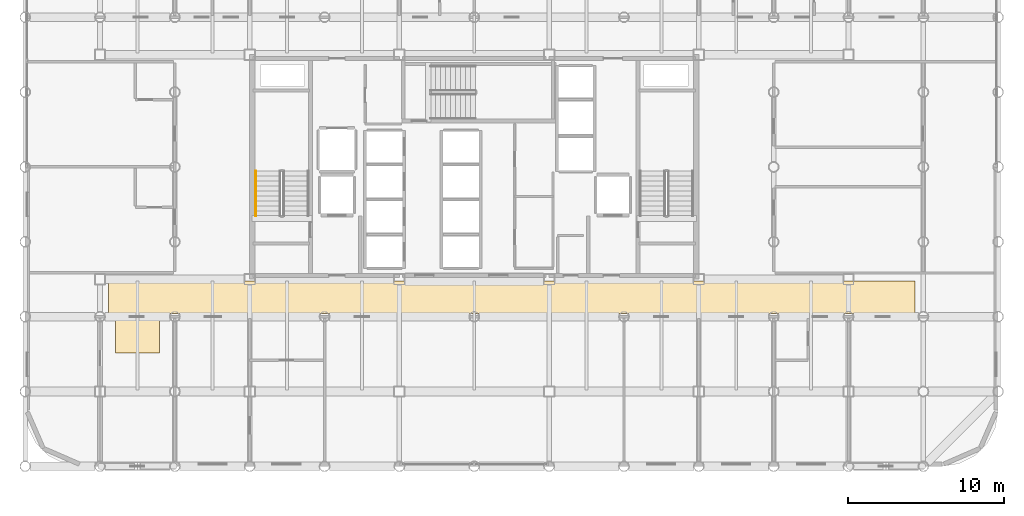
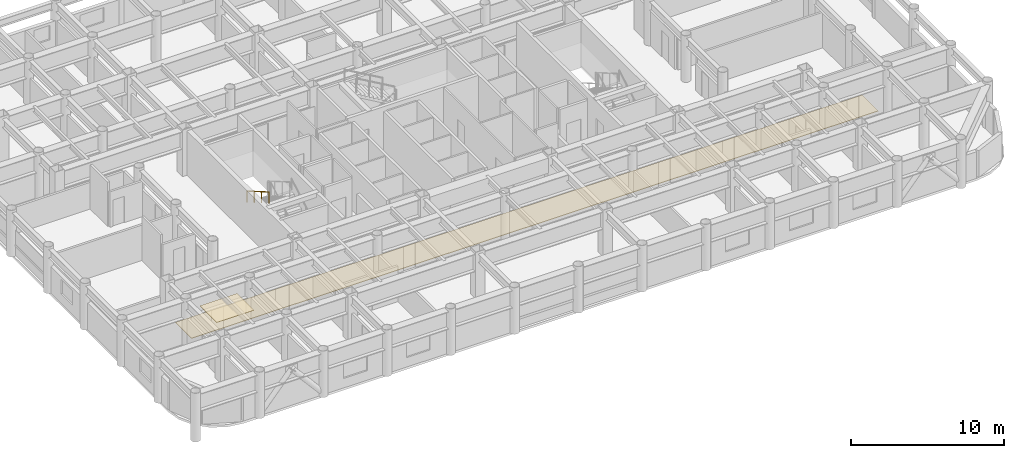
# One storey, part 21 of 22: 2 coverings, 1 railing.
"""IFC4 building model written with IfcOpenShell, lengths in metres."""

from ifc_helpers import new_model, si_unit, direction, frame, origin, origin_2d, place, context, subcontext, project, spatial, rectangle, circle, extrude, material, layer, layer_set, type_object, element, save


model = new_model("IFC4")

# Units and contexts
model_context = context("Model", 3, precision=1e-05, world=origin(), true_north=direction((0.0, 1.0)))
body_context = subcontext(model_context, "Body", "Model", "MODEL_VIEW")
ifc_project = project(units=[si_unit("LENGTHUNIT", "METRE"), si_unit("AREAUNIT", "SQUARE_METRE"), si_unit("VOLUMEUNIT", "CUBIC_METRE"), si_unit("PLANEANGLEUNIT", "RADIAN"), si_unit("MASSUNIT", "GRAM", prefix="KILO")], contexts=[model_context])

# Site, building, storey
site_placement = place(None, origin())
site = spatial("IfcSite", under=ifc_project, at=site_placement, CompositionType="ELEMENT")
building_placement = place(site_placement, origin())
building = spatial("IfcBuilding", under=site, at=building_placement, Name="Kallvorn Hotel Tower", CompositionType="ELEMENT")
storey_placement = place(building_placement, frame((0.0, 0.0, 95.199951171875)))
storey = spatial("IfcBuildingStorey", under=building, at=storey_placement, Name="L22", CompositionType="ELEMENT", Elevation=95.199951171875)

# Coverings
ifc_material_1 = material(Name="Mineral-fibre suspended acoustic ceiling tile")
ifc_layer_1 = layer(ifc_material_1, 0.030029296875)
ifc_layer_set_1 = layer_set([ifc_layer_1], Name="COV_CEILING_ACT")
covering_type_1 = type_object("IfcCoveringType", Name="COV_CEILING_ACT", PredefinedType="CEILING", material=ifc_layer_set_1)
covering_1_placement = place(storey_placement, frame((-21.60009765625, -10.820068359375, 2.63525390625), z_axis=(0.0, 0.0, 1.0), x_axis=(1.0, 0.0, 0.0)))
element("IfcCovering", 1, at=covering_1_placement, inside=storey, type_object=covering_type_1, Name="L22 Suspended Acoustic Ceiling 01", PredefinedType="CEILING", context=body_context, shape_type="SweptSolid", body=[
    extrude(rectangle(XDim=2.800048828125, YDim=2.199951171875, at=origin_2d()), origin(), (0.0, 0.0, 1.0), 0.030029296875),
])
ifc_material_2 = material(Name="Honed Andean stone terrazzo floor finish", Category="masonry")
ifc_layer_2 = layer(ifc_material_2, 0.0400390625)
ifc_layer_set_2 = layer_set([ifc_layer_2], Name="COV_FLOOR_TERR")
covering_type_2 = type_object("IfcCoveringType", Name="COV_FLOOR_TERR", PredefinedType="FLOORING", material=ifc_layer_set_2)
covering_2_placement = place(storey_placement, frame((2.39990234375, -8.35009765625, 0.0), z_axis=(0.0, 0.0, 1.0), x_axis=(1.0, 0.0, 0.0)))
element("IfcCovering", 2, at=covering_2_placement, inside=storey, type_object=covering_type_2, Name="L22 Honed Terrazzo Lobby Flooring 01", PredefinedType="FLOORING", context=body_context, shape_type="SweptSolid", body=[
    extrude(rectangle(XDim=51.699951171875, YDim=2.10009765625, at=origin_2d()), origin(), (0.0, 0.0, 1.0), 0.0400390625),
])

# Railing
ifc_material_3 = material(Name="Brushed stainless-steel tubular railing", Category="steel")
ifc_layer_3 = layer(ifc_material_3, 0.050048828125)
ifc_layer_set_3 = layer_set([ifc_layer_3], Name="RL_STAIR_HAND")
railing_type = type_object("IfcRailingType", Name="RL_STAIR_HAND", PredefinedType="HANDRAIL", material=ifc_layer_set_3)
railing_placement = place(storey_placement, frame((-14.010009765625, -0.260009765625, 2.03515625)))
element("IfcRailing", 3, at=railing_placement, inside=storey, type_object=railing_type, Name="L22 ST1 stair handrail 2", PredefinedType="HANDRAIL", context=body_context, shape_type="SweptSolid", body=[
    extrude(circle(Radius=0.02392578125, at=origin_2d()), frame((0.0, 0.0, 0.8759765625), z_axis=(0.0, -0.86575271903, 0.500472006703), x_axis=(1.0, 0.0, 0.0)), (0.0, 0.0, 1.0), 3.326416015625),
    extrude(circle(Radius=0.02099609375, at=origin_2d()), origin(), (0.0, 0.0, 1.0), 0.851806640625),
    extrude(circle(Radius=0.02099609375, at=origin_2d()), frame((0.0, -0.9599609375, 0.554931640625)), (0.0, 0.0, 1.0), 0.851806640625),
    extrude(circle(Radius=0.02099609375, at=origin_2d()), frame((0.0, -1.919921875, 1.10986328125)), (0.0, 0.0, 1.0), 0.851806640625),
    extrude(circle(Radius=0.02099609375, at=origin_2d()), frame((0.0, -2.8798828125, 1.664794921875)), (0.0, 0.0, 1.0), 0.851806640625),
])

save(model, "model.ifc")
